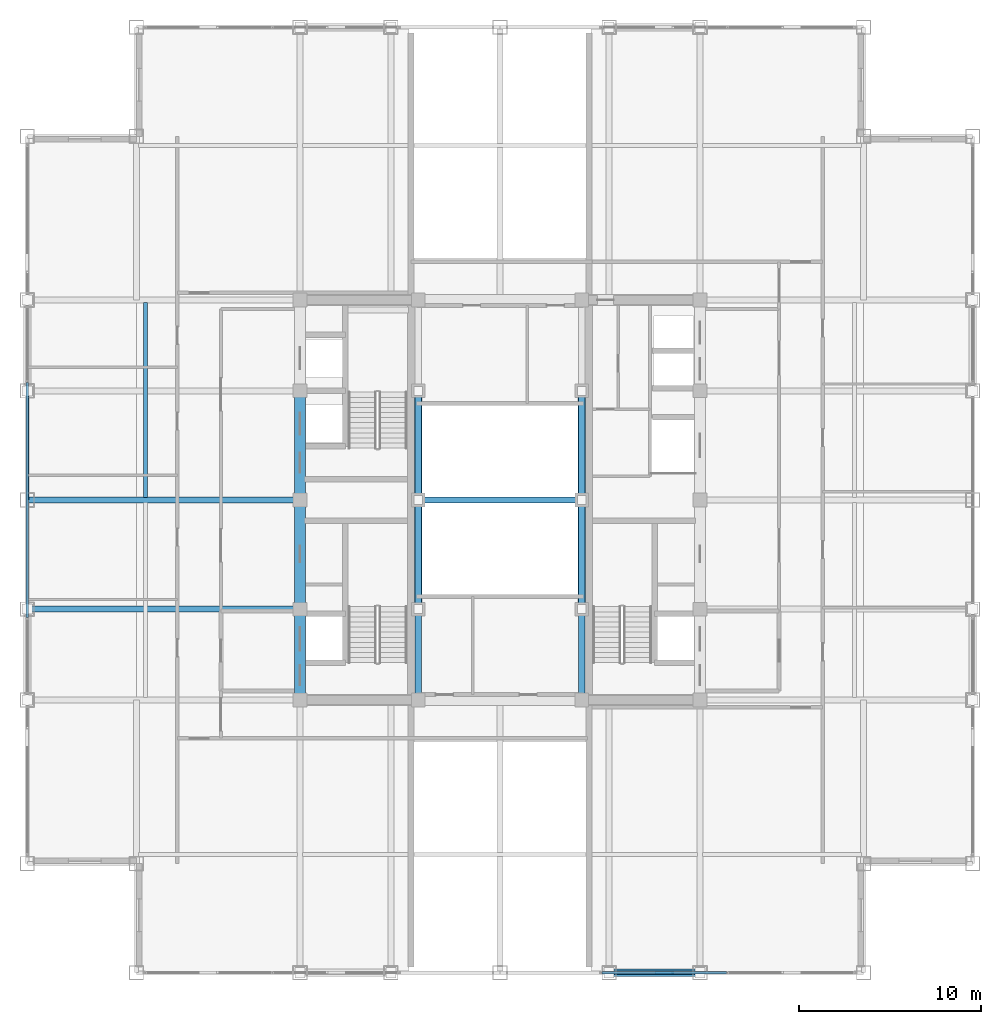
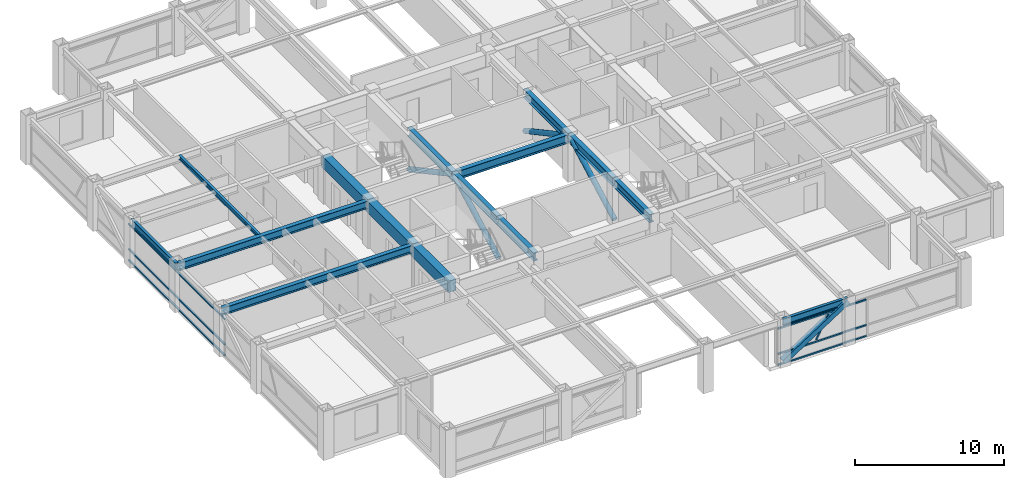
# One storey, part 8 of 29: 15 beams, 12 members, 2 elements without a shape of their own.
"""IFC4 building model written with IfcOpenShell, lengths in metres."""

from ifc_helpers import new_model, si_unit, direction, frame, origin, origin_2d, place, context, subcontext, project, spatial, rectangle, hollow_rectangle, hollow_circle, i_section, extrude, source, transform, mapped, material, material_profile, profile_set, type_object, element, aggregate, save


model = new_model("IFC4")

# Units and contexts
model_context = context("Model", 3, precision=1e-05, world=origin(), true_north=direction((0.0, 1.0)))
body_context = subcontext(model_context, "Body", "Model", "MODEL_VIEW")
ifc_project = project(units=[si_unit("LENGTHUNIT", "METRE"), si_unit("AREAUNIT", "SQUARE_METRE"), si_unit("VOLUMEUNIT", "CUBIC_METRE"), si_unit("PLANEANGLEUNIT", "RADIAN"), si_unit("MASSUNIT", "GRAM", prefix="KILO")], contexts=[model_context])

# Site, building, storey
site_placement = place(None, origin())
site = spatial("IfcSite", under=ifc_project, at=site_placement, CompositionType="ELEMENT")
building_placement = place(site_placement, origin())
building = spatial("IfcBuilding", under=site, at=building_placement, Name="Khorayat Bourse Tower", CompositionType="ELEMENT")
storey_placement = place(building_placement, frame((0.0, 0.0, 354.300048828125)))
storey = spatial("IfcBuildingStorey", under=building, at=storey_placement, Name="L84", CompositionType="ELEMENT", Elevation=354.300048828125)

# Beams
ifc_material_1 = material(Name="Steel ASTM A992 Grade 50", Category="steel")
ifc_material_profile_1 = material_profile(ifc_material_1, i_section(OverallWidth=0.35498046875, OverallDepth=0.695068359375, WebThickness=0.015380859375, FlangeThickness=0.02490234375, FilletRadius=0.01806640625, at=origin_2d()), Name="W690X217")
ifc_profile_set_1 = profile_set([ifc_material_profile_1], Name="Steel ASTM A992 Grade 50")
beam_type_1 = type_object("IfcBeamType", Name="BM-GIRD-690", PredefinedType="BEAM", material=ifc_profile_set_1)
shared_shape_1 = source(origin(), body_context, "Body", "SweptSolid", [
    extrude(i_section(OverallWidth=0.35498046875, OverallDepth=0.695068359375, WebThickness=0.015380859375, FlangeThickness=0.02490234375, FilletRadius=0.01806640625, at=origin_2d()), origin(), (0.0, 0.0, 1.0), 5.0),
])
for number, where, z_axis, x_axis, name in (
    (1, (-4.5, -11.0, 3.392333984375), (0.0, 1.0, 0.0), (-1.0, 0.0, 0.0), "L84 BM-GIRD-690 BM-L84-CRX-05"),
    (2, (4.5, -11.0, 3.392333984375), (0.0, 1.0, 0.0), (-1.0, 0.0, 0.0), "L84 BM-GIRD-690 BM-L84-CRX-09"),
):
    element("IfcBeam", number, at=place(storey_placement, frame(where, z_axis=z_axis, x_axis=x_axis)), inside=storey, type_object=beam_type_1, Name=name, PredefinedType="BEAM", context=body_context, shape_type="MappedRepresentation", body=[
        mapped(shared_shape_1, transform((0.0, 0.0, 0.0), scale=1.0)),
    ])
shared_shape_2 = source(origin(), body_context, "Body", "SweptSolid", [
    extrude(i_section(OverallWidth=0.35498046875, OverallDepth=0.695068359375, WebThickness=0.015380859375, FlangeThickness=0.02490234375, FilletRadius=0.01806640625, at=origin_2d()), origin(), (0.0, 0.0, 1.0), 6.0),
])
for number, where, z_axis, x_axis, name in (
    (3, (-4.5, -6.0, 3.392333984375), (0.0, 1.0, 0.0), (-1.0, 0.0, 0.0), "L84 BM-GIRD-690 BM-L84-CRX-06"),
    (4, (-4.5, 0.0, 3.392333984375), (0.0, 1.0, 0.0), (-1.0, 0.0, 0.0), "L84 BM-GIRD-690 BM-L84-CRX-07"),
    (5, (4.5, -6.0, 3.392333984375), (0.0, 1.0, 0.0), (-1.0, 0.0, 0.0), "L84 BM-GIRD-690 BM-L84-CRX-10"),
    (6, (4.5, 0.0, 3.392333984375), (0.0, 1.0, 0.0), (-1.0, 0.0, 0.0), "L84 BM-GIRD-690 BM-L84-CRX-11"),
):
    element("IfcBeam", number, at=place(storey_placement, frame(where, z_axis=z_axis, x_axis=x_axis)), inside=storey, type_object=beam_type_1, Name=name, PredefinedType="BEAM", context=body_context, shape_type="MappedRepresentation", body=[
        mapped(shared_shape_2, transform((0.0, 0.0, 0.0), scale=1.0)),
    ])
shared_shape_3 = source(origin(), body_context, "Body", "SweptSolid", [
    extrude(i_section(OverallWidth=0.35498046875, OverallDepth=0.695068359375, WebThickness=0.015380859375, FlangeThickness=0.02490234375, FilletRadius=0.01806640625, at=origin_2d()), origin(), (0.0, 0.0, 1.0), 9.0),
])
beam_1_placement = place(storey_placement, frame((-4.5, 0.0, 3.392333984375), z_axis=(1.0, 0.0, 0.0), x_axis=(0.0, 1.0, 0.0)))
element("IfcBeam", 7, at=beam_1_placement, inside=storey, type_object=beam_type_1, Name="L84 BM-GIRD-690 BM-L84-CRY-23", PredefinedType="BEAM", context=body_context, shape_type="MappedRepresentation", body=[
    mapped(shared_shape_3, transform((0.0, 0.0, 0.0), scale=1.0)),
])
ifc_material_2 = material(Name="Concrete C60/75", Category="concrete")
ifc_material_profile_2 = material_profile(ifc_material_2, rectangle(XDim=0.60009765625, YDim=0.949951171875, at=origin_2d()), Name="RC 600x950")
ifc_profile_set_2 = profile_set([ifc_material_profile_2], Name="Concrete C60/75")
beam_type_2 = type_object("IfcBeamType", Name="BM-COUP-950", PredefinedType="BEAM", material=ifc_profile_set_2)
shared_shape_4 = source(origin(), body_context, "Body", "SweptSolid", [
    extrude(rectangle(XDim=0.60009765625, YDim=0.949951171875, at=origin_2d()), origin(), (0.0, 0.0, 1.0), 5.0),
])
beam_2_placement = place(storey_placement, frame((-11.0, -11.0, 3.264892578125), z_axis=(0.0, 1.0, 0.0), x_axis=(-1.0, 0.0, 0.0)))
element("IfcBeam", 8, at=beam_2_placement, inside=storey, type_object=beam_type_2, Name="L84 BM-COUP-950 BM-L84-CRX-01", PredefinedType="BEAM", context=body_context, shape_type="MappedRepresentation", body=[
    mapped(shared_shape_4, transform((0.0, 0.0, 0.0), scale=1.0)),
])
shared_shape_5 = source(origin(), body_context, "Body", "SweptSolid", [
    extrude(rectangle(XDim=0.60009765625, YDim=0.949951171875, at=origin_2d()), origin(), (0.0, 0.0, 1.0), 6.0),
])
for number, where, z_axis, x_axis, name in (
    (9, (-11.0, -6.0, 3.264892578125), (0.0, 1.0, 0.0), (-1.0, 0.0, 0.0), "L84 BM-COUP-950 BM-L84-CRX-02"),
    (10, (-11.0, 0.0, 3.264892578125), (0.0, 1.0, 0.0), (-1.0, 0.0, 0.0), "L84 BM-COUP-950 BM-L84-CRX-03"),
):
    element("IfcBeam", number, at=place(storey_placement, frame(where, z_axis=z_axis, x_axis=x_axis)), inside=storey, type_object=beam_type_2, Name=name, PredefinedType="BEAM", context=body_context, shape_type="MappedRepresentation", body=[
        mapped(shared_shape_5, transform((0.0, 0.0, 0.0), scale=1.0)),
    ])
ifc_material_profile_3 = material_profile(ifc_material_1, i_section(OverallWidth=0.202880859375, OverallDepth=0.346923828125, WebThickness=0.0078125, FlangeThickness=0.013427734375, FilletRadius=0.010009765625, at=origin_2d()), Name="W360X64")
ifc_profile_set_3 = profile_set([ifc_material_profile_3], Name="Steel ASTM A992 Grade 50")
beam_type_3 = type_object("IfcBeamType", Name="BM-JOIST-360", PredefinedType="JOIST", material=ifc_profile_set_3)
shared_shape_6 = source(origin(), body_context, "Body", "SweptSolid", [
    extrude(i_section(OverallWidth=0.202880859375, OverallDepth=0.346923828125, WebThickness=0.0078125, FlangeThickness=0.013427734375, FilletRadius=0.010009765625, at=origin_2d()), origin(), (0.0, 0.0, 1.0), 10.740234375),
])
beam_3_placement = place(storey_placement, frame((-19.5, 0.1298828125, 3.56640625), z_axis=(0.0, 1.0, 0.0), x_axis=(-1.0, 0.0, 0.0)))
element("IfcBeam", 11, at=beam_3_placement, inside=storey, type_object=beam_type_3, Name="L84 BM-JOIST-360 BM-L84-JSTY-087", PredefinedType="JOIST", context=body_context, shape_type="MappedRepresentation", body=[
    mapped(shared_shape_6, transform((0.0, 0.0, 0.0), scale=1.0)),
])
ifc_material_profile_4 = material_profile(ifc_material_1, i_section(OverallWidth=0.214111328125, OverallDepth=0.549072265625, WebThickness=0.0146484375, FlangeThickness=0.023681640625, FilletRadius=0.013916015625, at=origin_2d()), Name="W530X138")
ifc_profile_set_4 = profile_set([ifc_material_profile_4], Name="Steel ASTM A992 Grade 50")
beam_type_4 = type_object("IfcBeamType", Name="BM-SPAN-530", PredefinedType="SPANDREL", material=ifc_profile_set_4)
shared_shape_7 = source(origin(), body_context, "Body", "SweptSolid", [
    extrude(i_section(OverallWidth=0.214111328125, OverallDepth=0.549072265625, WebThickness=0.0146484375, FlangeThickness=0.023681640625, FilletRadius=0.013916015625, at=origin_2d()), origin(), (0.0, 0.0, 1.0), 5.0),
])
beam_4_placement = place(storey_placement, frame((6.0, -26.0, 3.46533203125), z_axis=(1.0, 0.0, 0.0), x_axis=(0.0, 1.0, 0.0)))
element("IfcBeam", 12, at=beam_4_placement, inside=storey, type_object=beam_type_4, Name="L84 BM-SPAN-530 BM-L84-SPN-028", PredefinedType="SPANDREL", context=body_context, shape_type="MappedRepresentation", body=[
    mapped(shared_shape_7, transform((0.0, 0.0, 0.0), scale=1.0)),
])
shared_shape_8 = source(origin(), body_context, "Body", "SweptSolid", [
    extrude(i_section(OverallWidth=0.214111328125, OverallDepth=0.549072265625, WebThickness=0.0146484375, FlangeThickness=0.023681640625, FilletRadius=0.013916015625, at=origin_2d()), origin(), (0.0, 0.0, 1.0), 6.0),
])
beam_5_placement = place(storey_placement, frame((-26.0, 0.0, 3.46533203125), z_axis=(0.0, 1.0, 0.0), x_axis=(-1.0, 0.0, 0.0)))
element("IfcBeam", 13, at=beam_5_placement, inside=storey, type_object=beam_type_4, Name="L84 BM-SPAN-530 BM-L84-SPN-050", PredefinedType="SPANDREL", context=body_context, shape_type="MappedRepresentation", body=[
    mapped(shared_shape_8, transform((0.0, 0.0, 0.0), scale=1.0)),
])
ifc_material_profile_5 = material_profile(ifc_material_1, i_section(OverallWidth=0.324951171875, OverallDepth=0.615966796875, WebThickness=0.013916015625, FlangeThickness=0.021484375, FilletRadius=0.01611328125, at=origin_2d()), Name="W610X174")
ifc_profile_set_5 = profile_set([ifc_material_profile_5], Name="Steel ASTM A992 Grade 50")
beam_type_5 = type_object("IfcBeamType", Name="BM-GIRD-610", PredefinedType="BEAM", material=ifc_profile_set_5)
shared_shape_9 = source(origin(), body_context, "Body", "SweptSolid", [
    extrude(i_section(OverallWidth=0.324951171875, OverallDepth=0.615966796875, WebThickness=0.013916015625, FlangeThickness=0.021484375, FilletRadius=0.01611328125, at=origin_2d()), origin(), (0.0, 0.0, 1.0), 15.0),
])
for number, where, z_axis, x_axis, name in (
    (14, (-26.0, -6.0, 3.431884765625), (1.0, 0.0, 0.0), (0.0, 1.0, 0.0), "L84 BM-GIRD-610 BM-L84-RADX-069"),
    (15, (-26.0, 0.0, 3.431884765625), (1.0, 0.0, 0.0), (0.0, 1.0, 0.0), "L84 BM-GIRD-610 BM-L84-RADX-071"),
):
    element("IfcBeam", number, at=place(storey_placement, frame(where, z_axis=z_axis, x_axis=x_axis)), inside=storey, type_object=beam_type_5, Name=name, PredefinedType="BEAM", context=body_context, shape_type="MappedRepresentation", body=[
        mapped(shared_shape_9, transform((0.0, 0.0, 0.0), scale=1.0)),
    ])

# Members
ifc_material_3 = material(Name="Steel EN 10025-4 S460M", Category="steel")
ifc_material_profile_6 = material_profile(ifc_material_3, hollow_rectangle(XDim=0.39990234375, YDim=0.39990234375, WallThickness=0.02197265625, at=origin_2d()), Name="HSS 400x400x22")
ifc_profile_set_6 = profile_set([ifc_material_profile_6], Name="Steel EN 10025-4 S460M")
member_type_1 = type_object("IfcMemberType", Name="MBR-TUBE-400", PredefinedType="BRACE", material=ifc_profile_set_6)
shared_shape_10 = source(origin(), body_context, "Body", "SweptSolid", [
    extrude(hollow_rectangle(XDim=0.39990234375, YDim=0.39990234375, WallThickness=0.02197265625, at=origin_2d()), origin(), (0.0, 0.0, 1.0), 5.9580078125),
])
member_1_placement = place(storey_placement, frame((6.0, -26.0, 0.25), z_axis=(0.839210474455, 0.0, 0.543806748364), x_axis=(0.0, 1.0, 0.0)))
element("IfcMember", 16, at=member_1_placement, inside=storey, type_object=member_type_1, Name="L84 Perimeter Tube Brace 02", PredefinedType="BRACE", context=body_context, shape_type="MappedRepresentation", body=[
    mapped(shared_shape_10, transform((0.0, 0.0, 0.0), scale=1.0)),
])
ifc_material_4 = material(Name="Steel EN 10025-2 S355J2", Category="steel")
ifc_material_profile_7 = material_profile(ifc_material_4, hollow_circle(Radius=0.203125, WallThickness=0.02001953125, at=origin_2d()), Name="CHS 406x20")
ifc_profile_set_7 = profile_set([ifc_material_profile_7], Name="Steel EN 10025-2 S355J2")
member_type_2 = type_object("IfcMemberType", Name="MBR-STRUT-406", PredefinedType="STRUT", material=ifc_profile_set_7)
shared_shape_11 = source(origin(), body_context, "Body", "SweptSolid", [
    extrude(hollow_circle(Radius=0.203125, WallThickness=0.02001953125, at=origin_2d()), origin(), (0.0, 0.0, 1.0), 6.81884765625),
])
for number, where, z_axis, x_axis, name in (
    (17, (-4.5, -6.0, 0.25), (0.0, 0.879905996414, 0.475147805925), (-1.0, 0.0, 0.0), "L84 Wind Portal Bracing Strut 01"),
    (18, (-4.5, 6.0, 0.25), (0.0, -0.879905996414, 0.475147805925), (1.0, 0.0, 0.0), "L84 Wind Portal Bracing Strut 02"),
    (19, (4.5, -6.0, 0.25), (0.0, 0.879905996414, 0.475147805925), (-1.0, 0.0, 0.0), "L84 Wind Portal Bracing Strut 03"),
    (20, (4.5, 6.0, 0.25), (0.0, -0.879905996414, 0.475147805925), (1.0, 0.0, 0.0), "L84 Wind Portal Bracing Strut 04"),
):
    element("IfcMember", number, at=place(storey_placement, frame(where, z_axis=z_axis, x_axis=x_axis)), inside=storey, type_object=member_type_2, Name=name, PredefinedType="STRUT", context=body_context, shape_type="MappedRepresentation", body=[
        mapped(shared_shape_11, transform((0.0, 0.0, 0.0), scale=1.0)),
    ])

# Curtain wall, members
ifc_material_5 = material(Name="Aluminium EN AW-6063 T6", Category="aluminium")
curtain_wall_type = type_object("IfcCurtainWallType", Name="CW-SYS-06", PredefinedType="NOTDEFINED", material=ifc_material_5)
curtain_wall_1_placement = place(storey_placement, origin())
curtain_wall_1 = element("IfcCurtainWall", 21, at=curtain_wall_1_placement, inside=storey, type_object=curtain_wall_type, Name="L84 Curtain Wall CW-L84-S2", PredefinedType="NOTDEFINED")
ifc_material_profile_8 = material_profile(ifc_material_5, hollow_rectangle(XDim=0.1201171875, YDim=0.1201171875, WallThickness=0.0048828125, at=origin_2d()), Name="ALU 120x120x5")
ifc_profile_set_8 = profile_set([ifc_material_profile_8], Name="Aluminium EN AW-6063 T6")
member_type_3 = type_object("IfcMemberType", Name="CWM-DIAG-120", PredefinedType="MULLION", material=ifc_profile_set_8)
shared_shape_12 = source(origin(), body_context, "Body", "SweptSolid", [
    extrude(hollow_rectangle(XDim=0.1201171875, YDim=0.1201171875, WallThickness=0.0048828125, at=origin_2d()), origin(), (0.0, 0.0, 1.0), 2.0341796875),
])
member_2_placement = place(storey_placement, frame((8.56884765625, -26.0, 1.08984375), z_axis=(0.465696964104, 0.0, 0.884944256789), x_axis=(0.0, 1.0, 0.0)))
member_2 = element("IfcMember", 22, at=member_2_placement, type_object=member_type_3, Name="CW-L84-S2 Faceted Diagonal Mullion 1", PredefinedType="MULLION", context=body_context, shape_type="MappedRepresentation", body=[
    mapped(shared_shape_12, transform((0.0, 0.0, 0.0), scale=1.0)),
])
ifc_material_profile_9 = material_profile(ifc_material_5, hollow_rectangle(XDim=0.1201171875, YDim=0.1201171875, WallThickness=0.0048828125, at=origin_2d()), Name="ALU 120x120x5")
ifc_profile_set_9 = profile_set([ifc_material_profile_9], Name="Aluminium EN AW-6063 T6")
member_type_4 = type_object("IfcMemberType", Name="CWT-HORZ-120", PredefinedType="USERDEFINED", material=ifc_profile_set_9)
shared_shape_13 = source(origin(), body_context, "Body", "SweptSolid", [
    extrude(hollow_rectangle(XDim=0.1201171875, YDim=0.1201171875, WallThickness=0.0048828125, at=origin_2d()), origin(), (0.0, 0.0, 1.0), 6.844970703125),
])
member_3_placement = place(storey_placement, frame((5.6201171875, -26.0, 0.06005859375), z_axis=(1.0, 0.0, 0.0), x_axis=(0.0, 1.0, 0.0)))
member_3 = element("IfcMember", 23, at=member_3_placement, type_object=member_type_4, Name="CW-L84-S2 Horizontal Transom 1-1", ObjectType="TRANSOM", PredefinedType="USERDEFINED", context=body_context, shape_type="MappedRepresentation", body=[
    mapped(shared_shape_13, transform((0.0, 0.0, 0.0), scale=1.0)),
])
member_4_placement = place(storey_placement, frame((5.6201171875, -26.0, 0.949951171875), z_axis=(1.0, 0.0, 0.0), x_axis=(0.0, 1.0, 0.0)))
member_4 = element("IfcMember", 24, at=member_4_placement, type_object=member_type_4, Name="CW-L84-S2 Horizontal Transom 1-2", ObjectType="TRANSOM", PredefinedType="USERDEFINED", context=body_context, shape_type="MappedRepresentation", body=[
    mapped(shared_shape_13, transform((0.0, 0.0, 0.0), scale=1.0)),
])
member_5_placement = place(storey_placement, frame((5.6201171875, -26.0, 3.030029296875), z_axis=(1.0, 0.0, 0.0), x_axis=(0.0, 1.0, 0.0)))
member_5 = element("IfcMember", 25, at=member_5_placement, type_object=member_type_4, Name="CW-L84-S2 Horizontal Transom 1-3", ObjectType="TRANSOM", PredefinedType="USERDEFINED", context=body_context, shape_type="MappedRepresentation", body=[
    mapped(shared_shape_13, transform((0.0, 0.0, 0.0), scale=1.0)),
])
aggregate(curtain_wall_1, [member_3, member_4, member_5, member_2])

curtain_wall_2_placement = place(storey_placement, origin())
curtain_wall_2 = element("IfcCurtainWall", 26, at=curtain_wall_2_placement, inside=storey, type_object=curtain_wall_type, Name="L84 Curtain Wall CW-L84-W1", PredefinedType="NOTDEFINED")
shared_shape_14 = source(origin(), body_context, "Body", "SweptSolid", [
    extrude(hollow_rectangle(XDim=0.1201171875, YDim=0.1201171875, WallThickness=0.0048828125, at=origin_2d()), origin(), (0.0, 0.0, 1.0), 12.91357421875),
])
member_6_placement = place(storey_placement, frame((-26.0, 6.456787109375, 0.06005859375), z_axis=(0.0, -1.0, 0.0), x_axis=(1.0, 0.0, 0.0)))
member_6 = element("IfcMember", 27, at=member_6_placement, type_object=member_type_4, Name="CW-L84-W1 Horizontal Transom 2-1", ObjectType="TRANSOM", PredefinedType="USERDEFINED", context=body_context, shape_type="MappedRepresentation", body=[
    mapped(shared_shape_14, transform((0.0, 0.0, 0.0), scale=1.0)),
])
member_7_placement = place(storey_placement, frame((-26.0, 6.456787109375, 0.949951171875), z_axis=(0.0, -1.0, 0.0), x_axis=(1.0, 0.0, 0.0)))
member_7 = element("IfcMember", 28, at=member_7_placement, type_object=member_type_4, Name="CW-L84-W1 Horizontal Transom 2-2", ObjectType="TRANSOM", PredefinedType="USERDEFINED", context=body_context, shape_type="MappedRepresentation", body=[
    mapped(shared_shape_14, transform((0.0, 0.0, 0.0), scale=1.0)),
])
member_8_placement = place(storey_placement, frame((-26.0, 6.456787109375, 3.030029296875), z_axis=(0.0, -1.0, 0.0), x_axis=(1.0, 0.0, 0.0)))
member_8 = element("IfcMember", 29, at=member_8_placement, type_object=member_type_4, Name="CW-L84-W1 Horizontal Transom 2-3", ObjectType="TRANSOM", PredefinedType="USERDEFINED", context=body_context, shape_type="MappedRepresentation", body=[
    mapped(shared_shape_14, transform((0.0, 0.0, 0.0), scale=1.0)),
])
aggregate(curtain_wall_2, [member_6, member_7, member_8])

save(model, "model.ifc")
